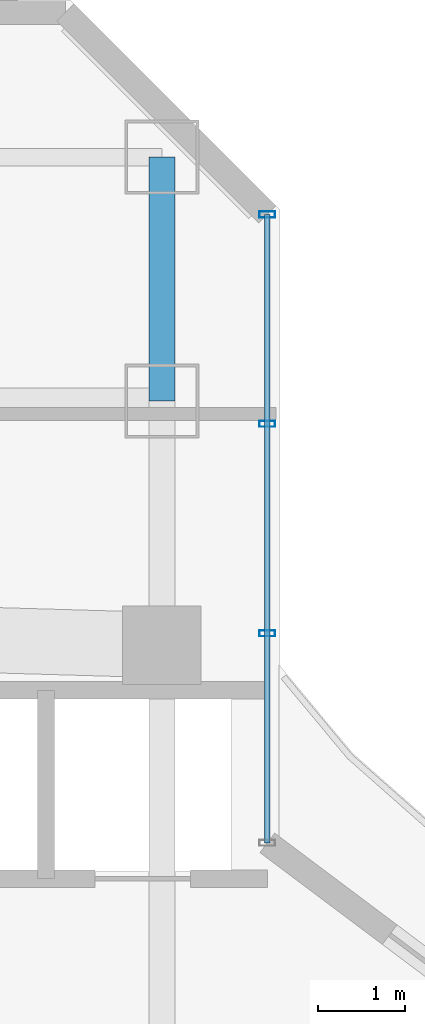
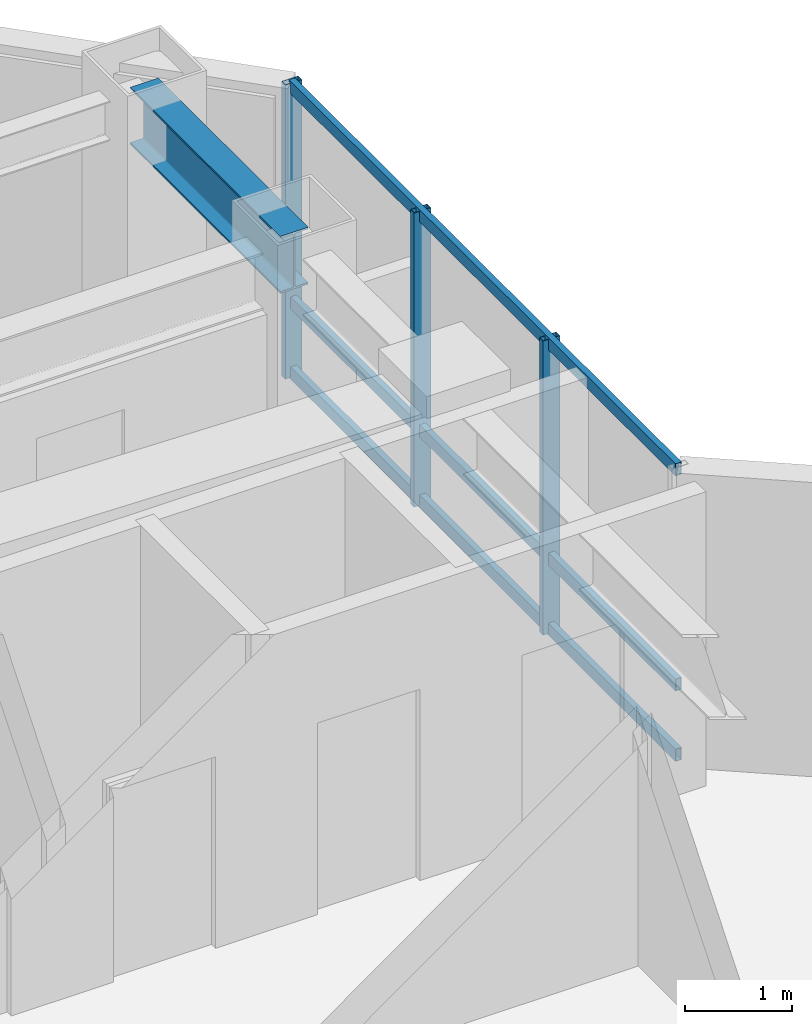
# One storey, part 19 of 27: 6 members, 1 beam, 1 element without a shape of its own.
"""IFC4 building model written with IfcOpenShell, lengths in metres."""

from ifc_helpers import new_model, si_unit, direction, frame, origin, origin_2d, place, context, subcontext, project, spatial, hollow_rectangle, i_section, extrude, material, layer, layer_set, material_profile, profile_set, type_object, element, aggregate, save


model = new_model("IFC4")

# Units and contexts
model_context = context("Model", 3, precision=1e-05, world=origin(), true_north=direction((0.0, 1.0)))
body_context = subcontext(model_context, "Body", "Model", "MODEL_VIEW")
ifc_project = project(units=[si_unit("LENGTHUNIT", "METRE"), si_unit("AREAUNIT", "SQUARE_METRE"), si_unit("VOLUMEUNIT", "CUBIC_METRE"), si_unit("PLANEANGLEUNIT", "RADIAN"), si_unit("MASSUNIT", "GRAM", prefix="KILO")], contexts=[model_context])

# Site, building, storey
site_placement = place(None, origin())
site = spatial("IfcSite", under=ifc_project, at=site_placement, CompositionType="ELEMENT")
building_placement = place(site_placement, origin())
building = spatial("IfcBuilding", under=site, at=building_placement, Name="Hatsunagi Terrace Concourse", CompositionType="ELEMENT")
storey_placement = place(building_placement, frame((0.0, 0.0, 145.64990234375)))
storey = spatial("IfcBuildingStorey", under=building, at=storey_placement, Name="L38", CompositionType="ELEMENT", Elevation=145.64990234375)

# Curtain wall, members
ifc_material_1 = material(Name="Anodised Aluminium Alloy 6063-T5", Category="aluminium")
ifc_layer = layer(ifc_material_1, 0.199951171875)
ifc_layer_set = layer_set([ifc_layer], Name="OfficeZone1_CW03")
curtain_wall_type = type_object("IfcCurtainWallType", Name="OfficeZone1_CW03", PredefinedType="NOTDEFINED", material=ifc_layer_set)
curtain_wall_placement = place(storey_placement, origin())
curtain_wall = element("IfcCurtainWall", 1, at=curtain_wall_placement, inside=storey, type_object=curtain_wall_type, Name="Unitised Curtain Wall CW-03 CW-L38-13", PredefinedType="NOTDEFINED")
ifc_material_2 = material(Name="Anodised Aluminium Alloy 6063-T5", Category="aluminium")
ifc_material_profile_1 = material_profile(ifc_material_2, hollow_rectangle(XDim=0.070068359375, YDim=0.179931640625, WallThickness=0.00390625, at=origin_2d()), Name="ALU-MUL-180x70x4")
ifc_profile_set_1 = profile_set([ifc_material_profile_1], Name="Anodised Aluminium Alloy 6063-T5")
member_type_1 = type_object("IfcMemberType", Name="CurtainWallMullion_180x70", PredefinedType="MULLION", material=ifc_profile_set_1)
member_1_placement = place(storey_placement, frame((44.860107421875, 47.94189453125, 0.0), z_axis=(0.0, 0.0, 1.0), x_axis=(0.0, -1.0, 0.0)))
member_1 = element("IfcMember", 2, at=member_1_placement, type_object=member_type_1, Name="Curtain Wall Mullion MUL-02", PredefinedType="MULLION", context=body_context, shape_type="SweptSolid", body=[
    extrude(hollow_rectangle(XDim=0.070068359375, YDim=0.179931640625, WallThickness=0.00390625, at=origin_2d()), origin(), (0.0, 0.0, 1.0), 3.35009765625),
])
member_2_placement = place(storey_placement, frame((44.860107421875, 45.5380859375, 0.0), z_axis=(0.0, 0.0, 1.0), x_axis=(0.0, -1.0, 0.0)))
member_2 = element("IfcMember", 3, at=member_2_placement, type_object=member_type_1, Name="Curtain Wall Mullion MUL-02", PredefinedType="MULLION", context=body_context, shape_type="SweptSolid", body=[
    extrude(hollow_rectangle(XDim=0.070068359375, YDim=0.179931640625, WallThickness=0.00390625, at=origin_2d()), origin(), (0.0, 0.0, 1.0), 3.35009765625),
])
member_3_placement = place(storey_placement, frame((44.860107421875, 43.134033203125, 0.0), z_axis=(0.0, 0.0, 1.0), x_axis=(0.0, -1.0, 0.0)))
member_3 = element("IfcMember", 4, at=member_3_placement, type_object=member_type_1, Name="Curtain Wall Mullion MUL-02", PredefinedType="MULLION", context=body_context, shape_type="SweptSolid", body=[
    extrude(hollow_rectangle(XDim=0.070068359375, YDim=0.179931640625, WallThickness=0.00390625, at=origin_2d()), origin(), (0.0, 0.0, 1.0), 3.35009765625),
])
ifc_material_3 = material(Name="Anodised Aluminium Alloy 6063-T5", Category="aluminium")
ifc_material_profile_2 = material_profile(ifc_material_3, hollow_rectangle(XDim=0.06494140625, YDim=0.139892578125, WallThickness=0.00390625, at=origin_2d()), Name="ALU-TRN-140x65x4")
ifc_profile_set_2 = profile_set([ifc_material_profile_2], Name="Anodised Aluminium Alloy 6063-T5")
member_type_2 = type_object("IfcMemberType", Name="CurtainWallTransom_140x65", PredefinedType="USERDEFINED", material=ifc_profile_set_2)
member_4_placement = place(storey_placement, frame((44.860107421875, 47.94189453125, 0.050048828125), z_axis=(0.0, -1.0, 0.0), x_axis=(1.0, 0.0, 0.0)))
member_4 = element("IfcMember", 5, at=member_4_placement, type_object=member_type_2, Name="Curtain Wall Transom TRN-02", ObjectType="TRANSOM", PredefinedType="USERDEFINED", context=body_context, shape_type="SweptSolid", body=[
    extrude(hollow_rectangle(XDim=0.06494140625, YDim=0.139892578125, WallThickness=0.00390625, at=origin_2d()), origin(), (0.0, 0.0, 1.0), 7.2119140625),
])
member_5_placement = place(storey_placement, frame((44.860107421875, 47.94189453125, 0.85009765625), z_axis=(0.0, -1.0, 0.0), x_axis=(1.0, 0.0, 0.0)))
member_5 = element("IfcMember", 6, at=member_5_placement, type_object=member_type_2, Name="Curtain Wall Transom TRN-02", ObjectType="TRANSOM", PredefinedType="USERDEFINED", context=body_context, shape_type="SweptSolid", body=[
    extrude(hollow_rectangle(XDim=0.06494140625, YDim=0.139892578125, WallThickness=0.00390625, at=origin_2d()), origin(), (0.0, 0.0, 1.0), 7.2119140625),
])
member_6_placement = place(storey_placement, frame((44.860107421875, 47.94189453125, 3.300048828125), z_axis=(0.0, -1.0, 0.0), x_axis=(1.0, 0.0, 0.0)))
member_6 = element("IfcMember", 7, at=member_6_placement, type_object=member_type_2, Name="Curtain Wall Transom TRN-02", ObjectType="TRANSOM", PredefinedType="USERDEFINED", context=body_context, shape_type="SweptSolid", body=[
    extrude(hollow_rectangle(XDim=0.06494140625, YDim=0.139892578125, WallThickness=0.00390625, at=origin_2d()), origin(), (0.0, 0.0, 1.0), 7.2119140625),
])
aggregate(curtain_wall, [member_1, member_2, member_3, member_4, member_5, member_6])

# Beam
ifc_material_4 = material(Name="Steel SN490B", Category="steel")
ifc_material_profile_3 = material_profile(ifc_material_4, i_section(OverallWidth=0.300048828125, OverallDepth=0.64990234375, WebThickness=0.012939453125, FlangeThickness=0.02197265625, FilletRadius=0.01806640625, at=origin_2d()), Name="H-650x300x13x22")
ifc_profile_set_3 = profile_set([ifc_material_profile_3], Name="Steel SN490B")
beam_type = type_object("IfcBeamType", Name="OfficeLowGirder_H_650x300", PredefinedType="BEAM", material=ifc_profile_set_3)
beam_placement = place(storey_placement, frame((43.64990234375, 45.800048828125, 3.025146484375), z_axis=(0.0, 1.0, 0.0), x_axis=(-1.0, 0.0, 0.0)))
element("IfcBeam", 8, at=beam_placement, inside=storey, type_object=beam_type, Name="Beam G-05 BM-L38-KN-WN6", PredefinedType="BEAM", context=body_context, shape_type="SweptSolid", body=[
    extrude(i_section(OverallWidth=0.300048828125, OverallDepth=0.64990234375, WebThickness=0.012939453125, FlangeThickness=0.02197265625, FilletRadius=0.01806640625, at=origin_2d()), origin(), (0.0, 0.0, 1.0), 2.800048828125),
])

save(model, "model.ifc")
